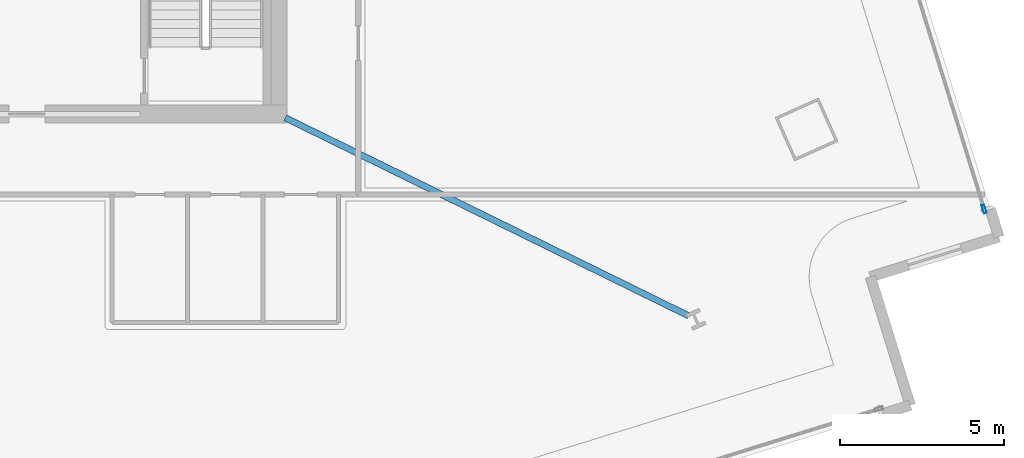
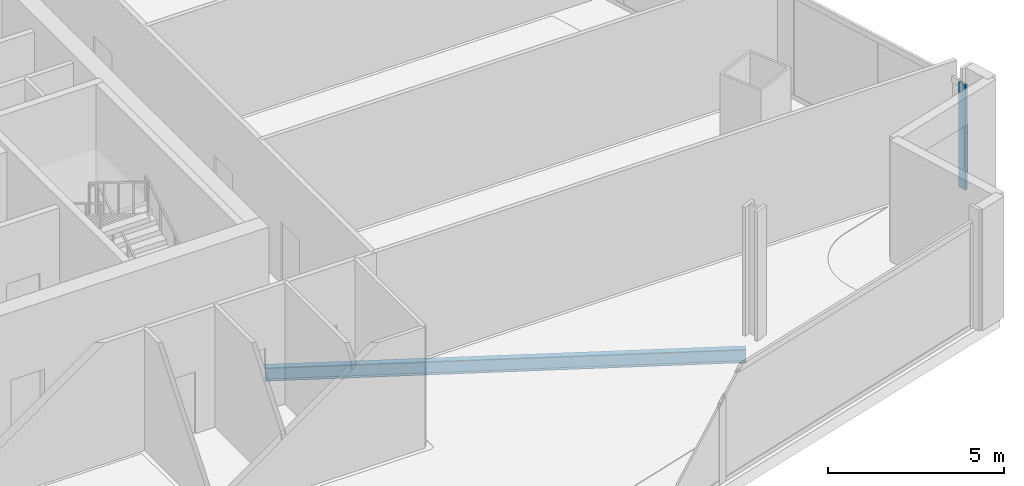
# One storey, part 7 of 26: 1 beam, 1 member, 1 element without a shape of its own.
"""IFC4 building model written with IfcOpenShell, lengths in metres."""

from ifc_helpers import new_model, si_unit, direction, frame, origin, origin_2d, place, context, subcontext, project, spatial, hollow_rectangle, i_section, extrude, material, material_profile, profile_set, type_object, element, aggregate, save


model = new_model("IFC4")

# Units and contexts
model_context = context("Model", 3, precision=1e-05, world=origin(), true_north=direction((0.0, 1.0)))
body_context = subcontext(model_context, "Body", "Model", "MODEL_VIEW")
ifc_project = project(units=[si_unit("LENGTHUNIT", "METRE"), si_unit("AREAUNIT", "SQUARE_METRE"), si_unit("VOLUMEUNIT", "CUBIC_METRE"), si_unit("PLANEANGLEUNIT", "RADIAN"), si_unit("MASSUNIT", "GRAM", prefix="KILO")], contexts=[model_context])

# Site, building, storey
site_placement = place(None, origin())
site = spatial("IfcSite", under=ifc_project, at=site_placement, CompositionType="ELEMENT")
building_placement = place(site_placement, origin())
building = spatial("IfcBuilding", under=site, at=building_placement, Name="Haldenkirk Collegiate Tower", CompositionType="ELEMENT")
storey_placement = place(building_placement, frame((0.0, 0.0, 85.949951171875)))
storey = spatial("IfcBuildingStorey", under=building, at=storey_placement, Name="L20", CompositionType="ELEMENT", Elevation=85.949951171875)

# Beam
ifc_material_1 = material(Name="Steel ASTM A992 Grade 50", Category="steel")
ifc_material_profile_1 = material_profile(ifc_material_1, i_section(OverallWidth=0.19189453125, OverallDepth=0.462890625, WebThickness=0.010498046875, FlangeThickness=0.017578125, at=origin_2d()), Name="W18X60")
ifc_profile_set_1 = profile_set([ifc_material_profile_1], Name="Steel ASTM A992 Grade 50")
beam_type = type_object("IfcBeamType", Name="BM-JOIST-W18X60", PredefinedType="JOIST", material=ifc_profile_set_1)
beam_placement = place(storey_placement, frame((57.517822265625, 11.8544921875, -0.641357421875), z_axis=(-0.897652859595, 0.440703237634, 0.0), x_axis=(-0.440703237634, -0.897652859595, 0.0)))
element("IfcBeam", 1, at=beam_placement, inside=storey, type_object=beam_type, Name="L20 composite floor joist 07", PredefinedType="JOIST", context=body_context, shape_type="SweptSolid", body=[
    extrude(i_section(OverallWidth=0.19189453125, OverallDepth=0.462890625, WebThickness=0.010498046875, FlangeThickness=0.017578125, at=origin_2d()), origin(), (0.0, 0.0, 1.0), 13.68994140625),
])

# Curtain wall, member
ifc_material_2 = material(Name="Anodised architectural bronze aluminium", Category="aluminium")
curtain_wall_type = type_object("IfcCurtainWallType", Name="CW-SYS4-SKYGARDEN", PredefinedType="USERDEFINED", material=ifc_material_2)
curtain_wall_placement = place(storey_placement, origin())
curtain_wall = element("IfcCurtainWall", 2, at=curtain_wall_placement, inside=storey, type_object=curtain_wall_type, Name="L20 Sky-garden tall bronze curtain wall", ObjectType="UNITISED CURTAIN WALL", PredefinedType="USERDEFINED")
ifc_material_profile_2 = material_profile(ifc_material_2, hollow_rectangle(XDim=0.090087890625, YDim=0.260009765625, WallThickness=0.0048828125, at=origin_2d()), Name="CW-MUL-04")
ifc_profile_set_2 = profile_set([ifc_material_profile_2], Name="Anodised architectural bronze aluminium")
member_type = type_object("IfcMemberType", Name="CW-MUL-04", PredefinedType="MULLION", material=ifc_profile_set_2)
member_placement = place(storey_placement, frame((66.5234375, 15.1064453125, 0.0), z_axis=(0.0, 0.0, 1.0), x_axis=(0.955020249653, 0.296540592082, 0.0)))
member = element("IfcMember", 3, at=member_placement, type_object=member_type, Name="CW-04 mullion 5", PredefinedType="MULLION", context=body_context, shape_type="SweptSolid", body=[
    extrude(hollow_rectangle(XDim=0.090087890625, YDim=0.260009765625, WallThickness=0.0048828125, at=origin_2d()), origin(), (0.0, 0.0, 1.0), 3.651123046875),
])
aggregate(curtain_wall, [member])

save(model, "model.ifc")
